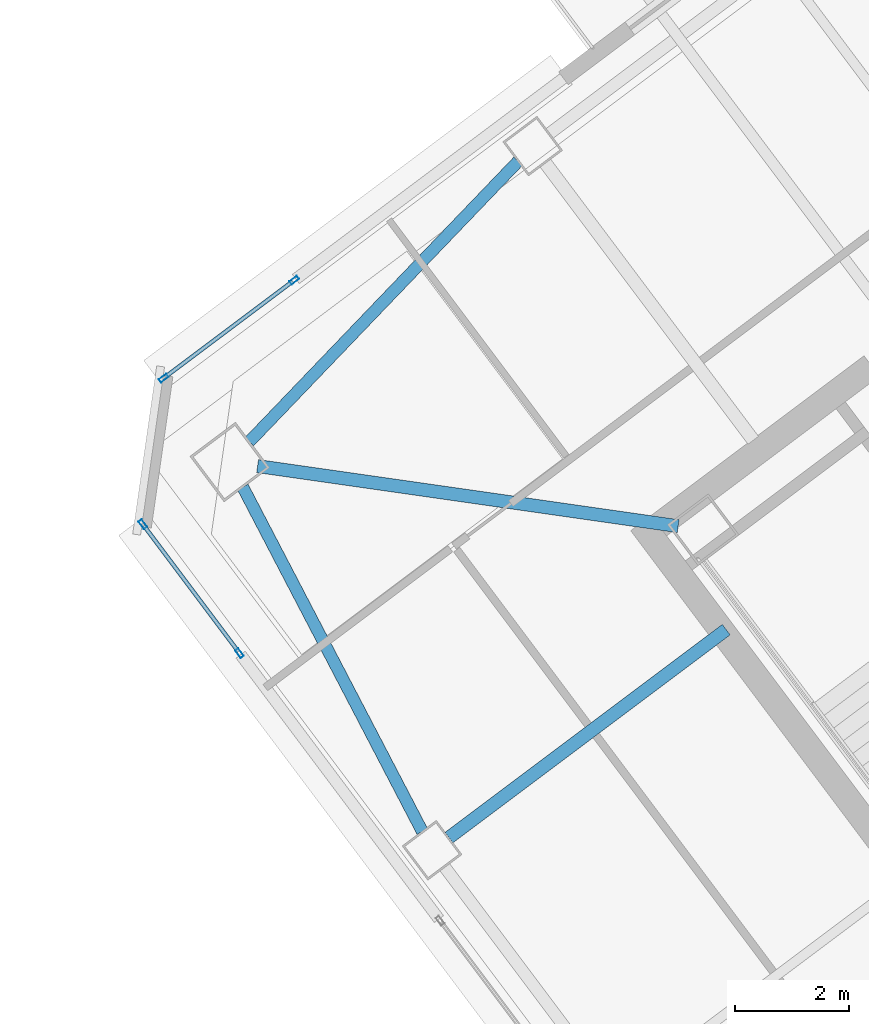
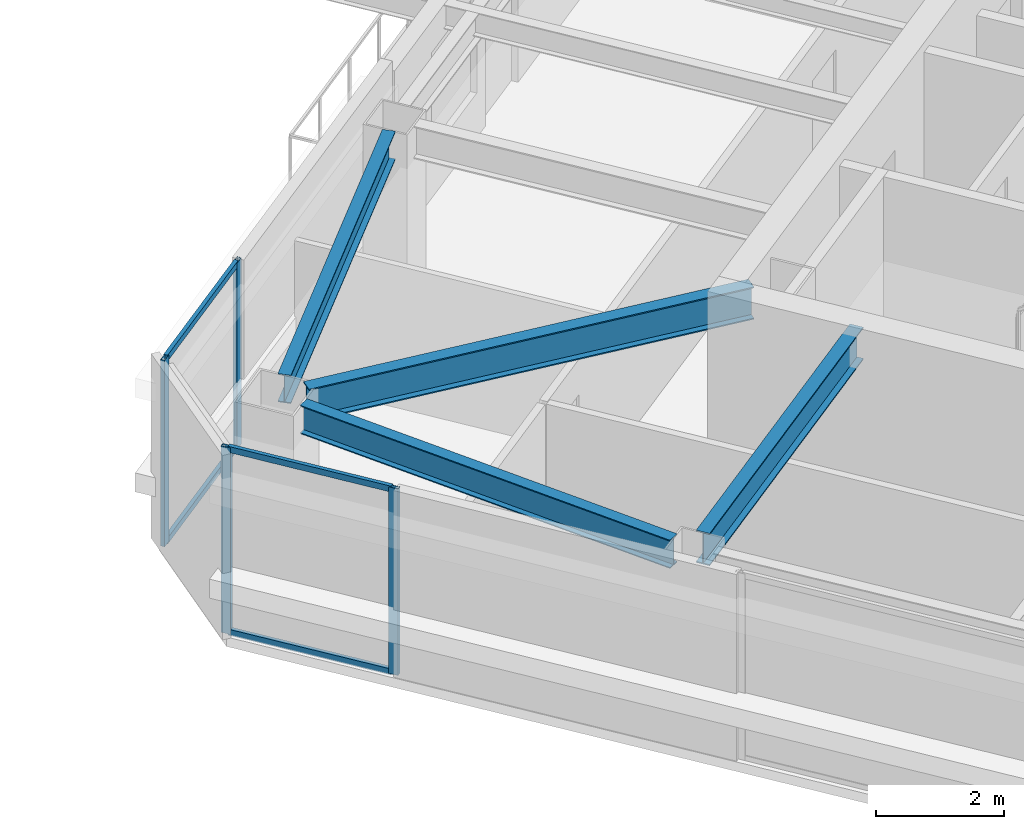
# One storey, part 19 of 36: 8 members, 4 beams, 2 elements without a shape of their own.
"""IFC4 building model written with IfcOpenShell, lengths in metres."""

import ifcopenshell
import ifcopenshell.guid

model = None  # the IFC model being written
_history = None  # IfcOwnerHistory: only IFC2X3 demands one
_inside = {}  # id of a spatial element -> (the spatial element, [elements in it])
_under = {}  # id of a project, library or spatial element -> (it, [spatial elements below it])
_declared = {}  # id of a project -> (the project, [libraries it declares])
_typed = {}  # id of a type object -> (the type object, [elements of that type])
_made_of = {}  # id of a material, layer set ... -> (it, [elements and type objects made of it])


def new_model(schema):
    """Start an empty IFC model of exactly this schema.

    Asked for "IFC4X3", IfcOpenShell would pick the latest addendum, in which some entities
    have other attributes; the version numbers below select the first issue.
    IFC2X3 requires an IfcOwnerHistory on every rooted entity: one is made here for all.
    """
    global model, _history
    if schema == "IFC4X3":
        model = ifcopenshell.file(schema_version=(4, 3, 0, 0))
    else:
        model = ifcopenshell.file(schema=schema)
    _inside.clear()
    _under.clear()
    _declared.clear()
    _typed.clear()
    _made_of.clear()
    _history = None
    if model.schema == "IFC2X3":
        org = make("IfcOrganization", Name="unknown")
        user = make(
            "IfcPersonAndOrganization",
            ThePerson=make("IfcPerson", FamilyName="unknown"),
            TheOrganization=org,
        )
        app = make(
            "IfcApplication",
            ApplicationDeveloper=org,
            Version="unknown",
            ApplicationFullName="unknown",
            ApplicationIdentifier="unknown",
        )
        _history = make(
            "IfcOwnerHistory",
            OwningUser=user,
            OwningApplication=app,
            ChangeAction="ADDED",
            CreationDate=0,
        )
    return model


def make(cls, **values):
    """One entity of the class cls with the attributes given. An attribute that is None is left unset."""
    return model.create_entity(
        cls, **{name: value for name, value in values.items() if value is not None}
    )


def rooted(cls, **values):
    """An entity with a GlobalId (a new one), such as an element, a storey or a relation."""
    return make(cls, GlobalId=ifcopenshell.guid.new(), OwnerHistory=_history, **values)


def si_unit(unit_type, name, prefix=None):
    """IfcSIUnit, for example si_unit("LENGTHUNIT", "METRE", prefix="MILLI")."""
    return make("IfcSIUnit", UnitType=unit_type, Prefix=prefix, Name=name)


def assignment(units):
    """IfcUnitAssignment: the units of a project."""
    return None if units is None else make("IfcUnitAssignment", Units=units)


def point(xyz):
    """IfcCartesianPoint."""
    return None if xyz is None else make("IfcCartesianPoint", Coordinates=xyz)


def direction(xyz):
    """IfcDirection."""
    return None if xyz is None else make("IfcDirection", DirectionRatios=xyz)


def frame(location, z_axis=None, x_axis=None):
    """IfcAxis2Placement3D, a coordinate frame: its origin and axes. An axis left out is left unset."""
    return make(
        "IfcAxis2Placement3D",
        Location=point(location),
        Axis=direction(z_axis),
        RefDirection=direction(x_axis),
    )


def frame_2d(location, x_axis=None):
    """IfcAxis2Placement2D, a coordinate frame in the plane: its origin and x axis."""
    return make(
        "IfcAxis2Placement2D", Location=point(location), RefDirection=direction(x_axis)
    )


def origin():
    """The frame at (0, 0, 0) with its axes left unset."""
    return frame((0.0, 0.0, 0.0))


def origin_2d():
    """The frame at (0, 0) in the plane with its x axis left unset."""
    return frame_2d((0.0, 0.0))


def place(relative_to, where):
    """IfcLocalPlacement: puts the frame where relative to a parent placement (None: the world)."""
    return make(
        "IfcLocalPlacement", PlacementRelTo=relative_to, RelativePlacement=where
    )


def context(
    kind, dimensions, precision=None, world=None, true_north=None, identifier=None
):
    """IfcGeometricRepresentationContext, for example the 3D "Model" context."""
    return make(
        "IfcGeometricRepresentationContext",
        ContextIdentifier=identifier,
        ContextType=kind,
        CoordinateSpaceDimension=dimensions,
        Precision=precision,
        WorldCoordinateSystem=world,
        TrueNorth=true_north,
    )


def subcontext(parent, identifier, kind, view, scale=None):
    """IfcGeometricRepresentationSubContext, for example "Body" below "Model"."""
    return make(
        "IfcGeometricRepresentationSubContext",
        ContextIdentifier=identifier,
        ContextType=kind,
        ParentContext=parent,
        TargetScale=scale,
        TargetView=view,
    )


def project(units=None, contexts=None):
    """IfcProject with its units and contexts."""
    return rooted(
        "IfcProject",
        Name="project",
        RepresentationContexts=contexts,
        UnitsInContext=assignment(units),
    )


def spatial(cls, under=None, at=None, **own):
    """A site, building, storey or space (cls), placed at a placement, below another one or the project."""
    s = rooted(cls, ObjectPlacement=at, **own)
    if under is not None:
        _under.setdefault(under.id(), (under, []))[1].append(s)
    return s


def profile(cls, at=None, kind="AREA", **sizes):
    """A parametric profile (cls). Its sizes go by their IFC names, for example OverallWidth=200.0."""
    return make(cls, ProfileType=kind, Position=at, **sizes)


def hollow_rectangle(**sizes):
    """IfcRectangleHollowProfileDef."""
    return profile("IfcRectangleHollowProfileDef", **sizes)


def i_section(**sizes):
    """IfcIShapeProfileDef."""
    return profile("IfcIShapeProfileDef", **sizes)


def extrude(swept, where, along, depth):
    """IfcExtrudedAreaSolid: the profile swept, set in the frame where, extruded along a direction by depth."""
    return make(
        "IfcExtrudedAreaSolid",
        SweptArea=swept,
        Position=where,
        ExtrudedDirection=direction(along),
        Depth=depth,
    )


def shape(context_of_items, identifier, shape_type, items):
    """IfcShapeRepresentation: the items that make up one representation, for example the "Body"."""
    return make(
        "IfcShapeRepresentation",
        ContextOfItems=context_of_items,
        RepresentationIdentifier=identifier,
        RepresentationType=shape_type,
        Items=items,
    )


def material(Name=None, Category=None):
    """IfcMaterial."""
    return make("IfcMaterial", Name=Name, Category=Category)


def material_profile(
    of_material, cross_section, Name=None, Category=None, Priority=None
):
    """IfcMaterialProfile: a cross section and its material."""
    return make(
        "IfcMaterialProfile",
        Name=Name,
        Material=of_material,
        Profile=cross_section,
        Priority=Priority,
        Category=Category,
    )


def profile_set(profiles, Name=None, composite=None):
    """IfcMaterialProfileSet."""
    return make(
        "IfcMaterialProfileSet",
        Name=Name,
        MaterialProfiles=profiles,
        CompositeProfile=composite,
    )


def made_of(thing, what):
    """Note that an element or type object is made of a material, layer set ...; save() writes the relation."""
    if what is not None:
        _made_of.setdefault(what.id(), (what, []))[1].append(thing)
    return thing


def type_object(cls, material=None, **own):
    """A type object (cls), such as IfcWallType, which elements share."""
    return made_of(rooted(cls, **own), material)


def element(
    cls,
    number,
    at=None,
    inside=None,
    cuts=None,
    type_object=None,
    material=None,
    context=None,
    identifier="Body",
    shape_type=None,
    held_by="IfcProductDefinitionShape",
    body=None,
    shapes=None,
    **own,
):
    """One element of the class cls, such as IfcWall. Its Tag is "e" and its number.

    at: its placement. inside: the storey or other place that contains it. cuts: it is an
    opening in that element (IfcRelVoidsElement). A single representation is given by context,
    identifier, shape_type and body (its items); several are given by shapes. held_by: the class
    of the entity that holds the representations. save() writes the other relations.
    """
    e = rooted(cls, Tag="e%d" % number, ObjectPlacement=at, **own)
    if body is not None:
        shapes = [shape(context, identifier, shape_type, body)]
    if shapes is not None:
        e.Representation = make(held_by, Representations=shapes)
    if inside is not None:
        _inside.setdefault(inside.id(), (inside, []))[1].append(e)
    if cuts is not None:
        rooted(
            "IfcRelVoidsElement", RelatingBuildingElement=cuts, RelatedOpeningElement=e
        )
    if type_object is not None:
        _typed.setdefault(type_object.id(), (type_object, []))[1].append(e)
    return made_of(e, material)


def aggregate(whole, parts):
    """IfcRelAggregates: a whole, such as a stair, and the parts it consists of."""
    return rooted("IfcRelAggregates", RelatingObject=whole, RelatedObjects=parts)


def save(model, path):
    """Write the relations noted so far, then the file.

    IfcRelAggregates (storeys below a building ...), IfcRelContainedInSpatialStructure (elements
    in a storey), IfcRelDefinesByType, IfcRelAssociatesMaterial and IfcRelDeclares: one each for
    every whole, place, type object, material and project.
    """
    for whole, parts in _under.values():
        aggregate(whole, parts)
    for where, things in _inside.values():
        rooted(
            "IfcRelContainedInSpatialStructure",
            RelatedElements=things,
            RelatingStructure=where,
        )
    for kind, things in _typed.values():
        rooted("IfcRelDefinesByType", RelatedObjects=things, RelatingType=kind)
    for what, things in _made_of.values():
        rooted("IfcRelAssociatesMaterial", RelatedObjects=things, RelatingMaterial=what)
    for by, libraries in _declared.values():
        rooted("IfcRelDeclares", RelatingContext=by, RelatedDefinitions=libraries)
    model.write(path)


model = new_model("IFC4")

# Units and contexts
model_context = context("Model", 3, precision=1e-05, world=origin(), true_north=direction((0.0, 1.0)))
body_context = subcontext(model_context, "Body", "Model", "MODEL_VIEW")
ifc_project = project(units=[si_unit("LENGTHUNIT", "METRE"), si_unit("AREAUNIT", "SQUARE_METRE"), si_unit("VOLUMEUNIT", "CUBIC_METRE"), si_unit("PLANEANGLEUNIT", "RADIAN"), si_unit("MASSUNIT", "GRAM", prefix="KILO")], contexts=[model_context])

# Site, building, storey
site_placement = place(None, origin())
site = spatial("IfcSite", under=ifc_project, at=site_placement, CompositionType="ELEMENT")
building_placement = place(site_placement, origin())
building = spatial("IfcBuilding", under=site, at=building_placement, Name="Tashvorn Skyway Center", CompositionType="ELEMENT")
storey_placement = place(building_placement, frame((0.0, 0.0, 236.14990234375)))
storey = spatial("IfcBuildingStorey", under=building, at=storey_placement, Name="L64", CompositionType="ELEMENT", Elevation=236.14990234375)

# Beams
ifc_material_1 = material(Name="Steel ASTM A992 Grade 50", Category="steel")
ifc_material_profile_1 = material_profile(ifc_material_1, i_section(OverallWidth=0.22998046875, OverallDepth=0.616943359375, WebThickness=0.01318359375, FlangeThickness=0.022216796875, at=origin_2d()), Name="W24X94")
ifc_profile_set_1 = profile_set([ifc_material_profile_1], Name="Steel ASTM A992 Grade 50")
beam_type_1 = type_object("IfcBeamType", Name="BM-BEAM-W24X94", PredefinedType="BEAM", material=ifc_profile_set_1)
beam_1_placement = place(storey_placement, frame((96.2900390625, 34.530029296875, 3.0615234375), z_axis=(0.989948187102, -0.141430501853, 0.0), x_axis=(0.141430501853, 0.989948187102, 0.0)))
element("IfcBeam", 1, at=beam_1_placement, inside=storey, type_object=beam_type_1, Name="Tower 2 L64 Primary Floor Girder MC-NW", PredefinedType="BEAM", context=body_context, shape_type="SweptSolid", body=[
    extrude(i_section(OverallWidth=0.22998046875, OverallDepth=0.616943359375, WebThickness=0.01318359375, FlangeThickness=0.022216796875, at=origin_2d()), origin(), (0.0, 0.0, 1.0), 7.474609375),
])
beam_2_placement = place(storey_placement, frame((99.656005859375, 27.991943359375, 3.0615234375), z_axis=(0.799980788524, 0.600025614447, 0.0), x_axis=(-0.600025614447, 0.799980788524, 0.0)))
element("IfcBeam", 2, at=beam_2_placement, inside=storey, type_object=beam_type_1, Name="Tower 2 L64 Primary Floor Girder FC-W1", PredefinedType="BEAM", context=body_context, shape_type="SweptSolid", body=[
    extrude(i_section(OverallWidth=0.22998046875, OverallDepth=0.616943359375, WebThickness=0.01318359375, FlangeThickness=0.022216796875, at=origin_2d()), origin(), (0.0, 0.0, 1.0), 6.10009765625),
])
ifc_material_profile_2 = material_profile(ifc_material_1, i_section(OverallWidth=0.2109375, OverallDepth=0.5390625, WebThickness=0.01171875, FlangeThickness=0.018798828125, at=origin_2d()), Name="W21X73")
ifc_profile_set_2 = profile_set([ifc_material_profile_2], Name="Steel ASTM A992 Grade 50")
beam_type_2 = type_object("IfcBeamType", Name="BM-SPANDREL-W21X73", PredefinedType="SPANDREL", material=ifc_profile_set_2)
for number, where, z_axis, x_axis, name in (
    (3, (100.8740234375, 39.892822265625, 3.1005859375), (-0.69202323926, -0.72187522213, 0.0), (0.72187522213, -0.69202323926, 0.0), "Tower 2 L64 Spandrel Beam 09"),
    (4, (96.02880859375, 34.1611328125, 3.1005859375), (0.462204749472, -0.886773234579, 0.0), (0.886773234579, 0.462204749472, 0.0), "Tower 2 L64 Spandrel Beam 10"),
):
    element("IfcBeam", number, at=place(storey_placement, frame(where, z_axis=z_axis, x_axis=x_axis)), inside=storey, type_object=beam_type_2, Name=name, PredefinedType="SPANDREL", context=body_context, shape_type="SweptSolid", body=[
        extrude(i_section(OverallWidth=0.2109375, OverallDepth=0.5390625, WebThickness=0.01171875, FlangeThickness=0.018798828125, at=origin_2d()), origin(), (0.0, 0.0, 1.0), 6.837158203125),
    ])

# Curtain wall, members
ifc_material_2 = material(Name="Thermally broken bronze-anodized aluminium 6063-T6", Category="aluminium")
curtain_wall_type = type_object("IfcCurtainWallType", Name="CW-CW-Z5", PredefinedType="NOTDEFINED", material=ifc_material_2)
curtain_wall_1_placement = place(storey_placement, origin())
curtain_wall_1 = element("IfcCurtainWall", 5, at=curtain_wall_1_placement, inside=storey, type_object=curtain_wall_type, Name="Tower 2 L64 West Unitised Curtain Wall Glazing Group 3", PredefinedType="NOTDEFINED")
ifc_material_profile_3 = material_profile(ifc_material_2, hollow_rectangle(XDim=0.070068359375, YDim=0.1650390625, WallThickness=0.00390625, at=origin_2d()), Name="ALU-MULL-70x165")
ifc_profile_set_3 = profile_set([ifc_material_profile_3], Name="Thermally broken bronze-anodized aluminium 6063-T6")
member_type_1 = type_object("IfcMemberType", Name="CWM-CW-Z5", PredefinedType="MULLION", material=ifc_profile_set_3)
member_1_placement = place(storey_placement, frame((95.970947265625, 31.23876953125, 0.0), z_axis=(0.0, 0.0, 1.0), x_axis=(-0.799995871508, -0.600005504617, 0.0)))
member_1 = element("IfcMember", 6, at=member_1_placement, type_object=member_type_1, Name="CW-Z5 mullion 1", PredefinedType="MULLION", context=body_context, shape_type="SweptSolid", body=[
    extrude(hollow_rectangle(XDim=0.070068359375, YDim=0.1650390625, WallThickness=0.00390625, at=origin_2d()), origin(), (0.0, 0.0, 1.0), 3.550048828125),
])
member_2_placement = place(storey_placement, frame((94.26904296875, 33.508056640625, 0.0), z_axis=(0.0, 0.0, 1.0), x_axis=(-0.799995871508, -0.600005504617, 0.0)))
member_2 = element("IfcMember", 7, at=member_2_placement, type_object=member_type_1, Name="CW-Z5 mullion 2", PredefinedType="MULLION", context=body_context, shape_type="SweptSolid", body=[
    extrude(hollow_rectangle(XDim=0.070068359375, YDim=0.1650390625, WallThickness=0.00390625, at=origin_2d()), origin(), (0.0, 0.0, 1.0), 3.550048828125),
])

curtain_wall_2_placement = place(storey_placement, origin())
curtain_wall_2 = element("IfcCurtainWall", 8, at=curtain_wall_2_placement, inside=storey, type_object=curtain_wall_type, Name="Tower 2 L64 North Curtain Wall L Glazing Group 1", PredefinedType="NOTDEFINED")
member_3_placement = place(storey_placement, frame((94.635986328125, 36.076904296875, 0.0), z_axis=(0.0, 0.0, 1.0), x_axis=(-0.599994564028, 0.80000407695, 0.0)))
member_3 = element("IfcMember", 9, at=member_3_placement, type_object=member_type_1, Name="CW-Z5 mullion 1", PredefinedType="MULLION", context=body_context, shape_type="SweptSolid", body=[
    extrude(hollow_rectangle(XDim=0.070068359375, YDim=0.1650390625, WallThickness=0.00390625, at=origin_2d()), origin(), (0.0, 0.0, 1.0), 3.550048828125),
])
member_4_placement = place(storey_placement, frame((96.934814453125, 37.801025390625, 0.0), z_axis=(0.0, 0.0, 1.0), x_axis=(-0.599994564028, 0.80000407695, 0.0)))
member_4 = element("IfcMember", 10, at=member_4_placement, type_object=member_type_1, Name="CW-Z5 mullion 2", PredefinedType="MULLION", context=body_context, shape_type="SweptSolid", body=[
    extrude(hollow_rectangle(XDim=0.070068359375, YDim=0.1650390625, WallThickness=0.00390625, at=origin_2d()), origin(), (0.0, 0.0, 1.0), 3.550048828125),
])

# Member
ifc_material_profile_4 = material_profile(ifc_material_2, hollow_rectangle(XDim=0.070068359375, YDim=0.114990234375, WallThickness=0.00390625, at=origin_2d()), Name="ALU-TRAN-70x115")
ifc_profile_set_4 = profile_set([ifc_material_profile_4], Name="Thermally broken bronze-anodized aluminium 6063-T6")
member_type_2 = type_object("IfcMemberType", Name="CWT-CW-Z5", PredefinedType="USERDEFINED", material=ifc_profile_set_4)
member_5_placement = place(storey_placement, frame((95.949951171875, 31.2666015625, 0.03515625), z_axis=(-0.599971761508, 0.80002117809, 0.0), x_axis=(-0.80002117809, -0.599971761508, 0.0)))
member_5 = element("IfcMember", 11, at=member_5_placement, type_object=member_type_2, Name="CW-Z5 transom 1.1", ObjectType="TRANSOM", PredefinedType="USERDEFINED", context=body_context, shape_type="SweptSolid", body=[
    extrude(hollow_rectangle(XDim=0.070068359375, YDim=0.114990234375, WallThickness=0.00390625, at=origin_2d()), origin(), (0.0, 0.0, 1.0), 2.7666015625),
])

member_6_placement = place(storey_placement, frame((95.949951171875, 31.2666015625, 3.51513671875), z_axis=(-0.599971761508, 0.80002117809, 0.0), x_axis=(-0.80002117809, -0.599971761508, 0.0)))
member_6 = element("IfcMember", 12, at=member_6_placement, type_object=member_type_2, Name="CW-Z5 transom 1.2", ObjectType="TRANSOM", PredefinedType="USERDEFINED", context=body_context, shape_type="SweptSolid", body=[
    extrude(hollow_rectangle(XDim=0.070068359375, YDim=0.114990234375, WallThickness=0.00390625, at=origin_2d()), origin(), (0.0, 0.0, 1.0), 2.7666015625),
])

aggregate(curtain_wall_1, [member_1, member_2, member_5, member_6])

member_7_placement = place(storey_placement, frame((94.6640625, 36.097900390625, 0.03515625), z_axis=(0.799979098689, 0.600027867403, 0.0), x_axis=(-0.600027867403, 0.799979098689, 0.0)))
member_7 = element("IfcMember", 13, at=member_7_placement, type_object=member_type_2, Name="CW-Z5 transom 1.1", ObjectType="TRANSOM", PredefinedType="USERDEFINED", context=body_context, shape_type="SweptSolid", body=[
    extrude(hollow_rectangle(XDim=0.070068359375, YDim=0.114990234375, WallThickness=0.00390625, at=origin_2d()), origin(), (0.0, 0.0, 1.0), 2.803466796875),
])

member_8_placement = place(storey_placement, frame((94.6640625, 36.097900390625, 3.51513671875), z_axis=(0.799979098689, 0.600027867403, 0.0), x_axis=(-0.600027867403, 0.799979098689, 0.0)))
member_8 = element("IfcMember", 14, at=member_8_placement, type_object=member_type_2, Name="CW-Z5 transom 1.2", ObjectType="TRANSOM", PredefinedType="USERDEFINED", context=body_context, shape_type="SweptSolid", body=[
    extrude(hollow_rectangle(XDim=0.070068359375, YDim=0.114990234375, WallThickness=0.00390625, at=origin_2d()), origin(), (0.0, 0.0, 1.0), 2.803466796875),
])

aggregate(curtain_wall_2, [member_3, member_4, member_7, member_8])

save(model, "model.ifc")
